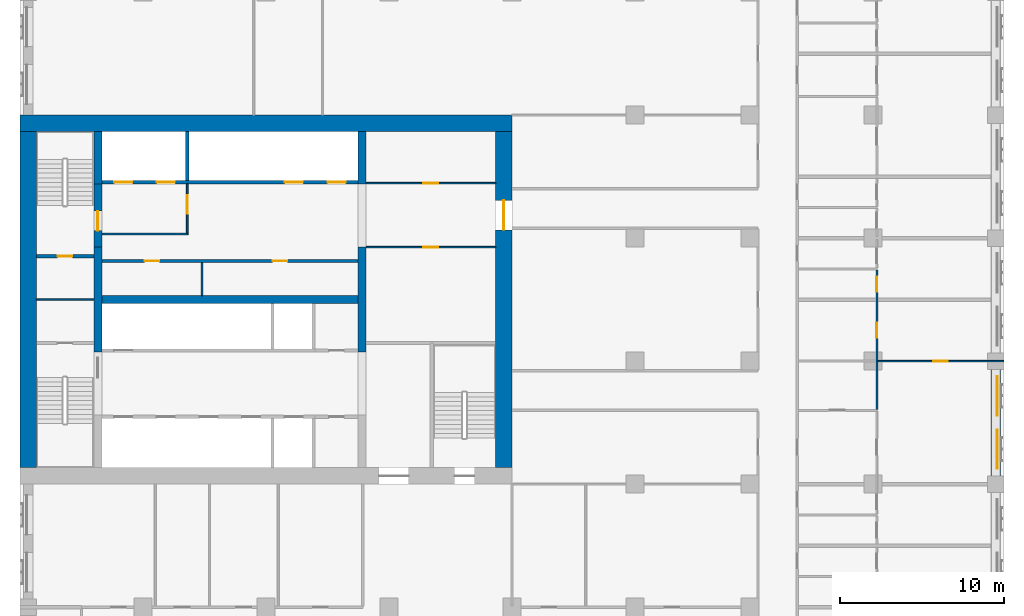
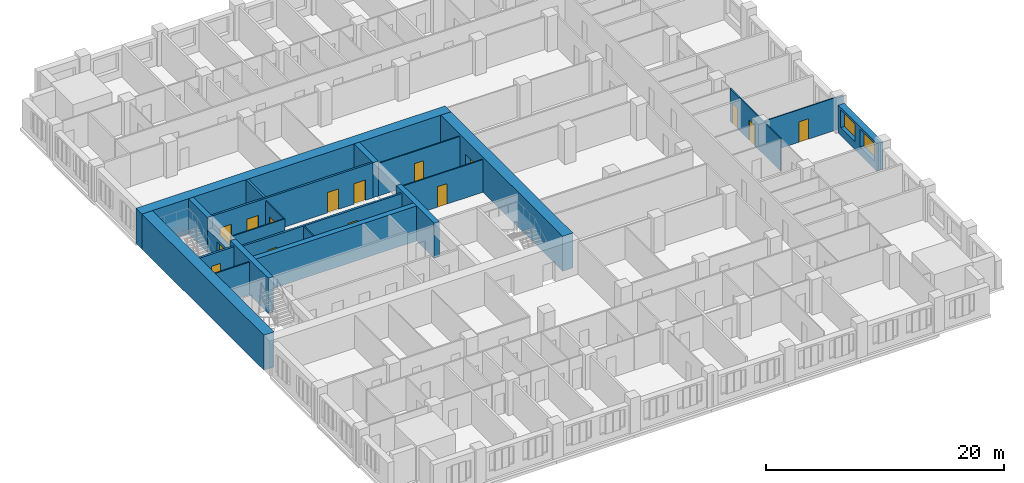
# One storey, part 8 of 15: 22 walls, 15 doors, 2 windows, 17 openings.
"""IFC4 building model written with IfcOpenShell, lengths in metres."""

from ifc_helpers import new_model, si_unit, direction, frame, frame_2d, origin, place, context, subcontext, project, spatial, rectangle, extrude, material, layer, layer_set, type_object, element, fill, save


model = new_model("IFC4")

# Units and contexts
model_context = context("Model", 3, precision=1e-05, world=origin(), true_north=direction((0.0, 1.0)))
body_context = subcontext(model_context, "Body", "Model", "MODEL_VIEW")
ifc_project = project(units=[si_unit("LENGTHUNIT", "METRE"), si_unit("AREAUNIT", "SQUARE_METRE"), si_unit("VOLUMEUNIT", "CUBIC_METRE"), si_unit("PLANEANGLEUNIT", "RADIAN"), si_unit("MASSUNIT", "GRAM", prefix="KILO")], contexts=[model_context])

# Site, building, storey
site_placement = place(None, origin())
site = spatial("IfcSite", under=ifc_project, at=site_placement, CompositionType="ELEMENT")
building_placement = place(site_placement, origin())
building = spatial("IfcBuilding", under=site, at=building_placement, Name="Tamorin Gate", CompositionType="ELEMENT")
storey_placement = place(building_placement, frame((0.0, 0.0, 82.699951171875)))
storey = spatial("IfcBuildingStorey", under=building, at=storey_placement, Name="L19", CompositionType="ELEMENT", Elevation=82.699951171875)

# Wall, openings, windows
ifc_material_1 = material(Name="Precast concrete C40/50", Category="concrete")
ifc_layer_1 = layer(ifc_material_1, 0.60009765625)
ifc_layer_set_1 = layer_set([ifc_layer_1], Name="Precast concrete C40/50")
wall_type_1 = type_object("IfcWallType", Name="Board-marked concrete facade panel 600", PredefinedType="SOLIDWALL", material=ifc_layer_set_1)
wall_1_placement = place(storey_placement, frame((89.5, 60.5, 0.0), z_axis=(0.0, 0.0, 1.0), x_axis=(0.0, 1.0, 0.0)))
wall_1 = element("IfcWall", 1, at=wall_1_placement, inside=storey, type_object=wall_type_1, Name="Facade panel", PredefinedType="SOLIDWALL", context=body_context, shape_type="SweptSolid", body=[
    extrude(rectangle(XDim=6.5, YDim=0.60009765625, at=frame_2d((3.25, 0.0))), origin(), (0.0, 0.0, 1.0), 2.85009765625),
])
opening_1_placement = place(wall_1_placement, frame((0.425048828125, 0.0, 0.800048828125)))
opening_1 = element("IfcOpeningElement", 2, at=opening_1_placement, cuts=wall_1, Name="Opening WN1", PredefinedType="OPENING", context=body_context, shape_type="SweptSolid", body=[
    extrude(rectangle(XDim=2.39990234375, YDim=1.800048828125, at=frame_2d((1.199951171875, 0.89990234375))), frame((0.0, 0.31005859375, 0.0), z_axis=(0.0, -1.0, 0.0), x_axis=(1.0, 0.0, 0.0)), (0.0, 0.0, 1.0), 0.6201171875),
])
opening_2_placement = place(wall_1_placement, frame((3.675048828125, 0.0, 0.800048828125)))
opening_2 = element("IfcOpeningElement", 3, at=opening_2_placement, cuts=wall_1, Name="Opening WN1", PredefinedType="OPENING", context=body_context, shape_type="SweptSolid", body=[
    extrude(rectangle(XDim=2.39990234375, YDim=1.800048828125, at=frame_2d((1.199951171875, 0.89990234375))), frame((0.0, 0.31005859375, 0.0), z_axis=(0.0, -1.0, 0.0), x_axis=(1.0, 0.0, 0.0)), (0.0, 0.0, 1.0), 0.6201171875),
])
ifc_material_2 = material(Name="Clear glass in aluminium frame", Category="aluminium")
window_type = type_object("IfcWindowType", Name="Deep-set window 2400x1800", PartitioningType="SINGLE_PANEL", PredefinedType="WINDOW", material=ifc_material_2)
window_1_placement = place(opening_1_placement, origin())
window_1 = element("IfcWindow", 4, at=window_1_placement, inside=storey, type_object=window_type, Name="Deep-set window", OverallHeight=1.800048828125, OverallWidth=2.39990234375, PartitioningType="SINGLE_PANEL", PredefinedType="WINDOW", context=body_context, shape_type="SweptSolid", body=[
    extrude(rectangle(XDim=2.39990234375, YDim=1.800048828125, at=frame_2d((1.199951171875, 0.89990234375))), frame((0.0, -0.070068359375, 0.0), z_axis=(0.0, -1.0, 0.0), x_axis=(1.0, 0.0, 0.0)), (0.0, 0.0, 1.0), 0.06005859375),
])
fill(opening_1, window_1)
window_2_placement = place(opening_2_placement, origin())
window_2 = element("IfcWindow", 5, at=window_2_placement, inside=storey, type_object=window_type, Name="Deep-set window", OverallHeight=1.800048828125, OverallWidth=2.39990234375, PartitioningType="SINGLE_PANEL", PredefinedType="WINDOW", context=body_context, shape_type="SweptSolid", body=[
    extrude(rectangle(XDim=2.39990234375, YDim=1.800048828125, at=frame_2d((1.199951171875, 0.89990234375))), frame((0.0, -0.070068359375, 0.0), z_axis=(0.0, -1.0, 0.0), x_axis=(1.0, 0.0, 0.0)), (0.0, 0.0, 1.0), 0.06005859375),
])
fill(opening_2, window_2)

# Wall, openings, doors
ifc_material_3 = material(Name="Concrete C32/40", Category="concrete")
ifc_layer_2 = layer(ifc_material_3, 0.199951171875)
ifc_layer_set_2 = layer_set([ifc_layer_2], Name="Lift lobby face wall 200 EI 120")
wall_type_2 = type_object("IfcWallType", Name="Lift lobby face wall 200 EI 120", PredefinedType="SOLIDWALL", material=ifc_layer_set_2)
wall_2_placement = place(storey_placement, frame((35.0, 78.39990234375, 0.0), z_axis=(0.0, 0.0, 1.0), x_axis=(1.0, 0.0, 0.0)))
wall_2 = element("IfcWall", 6, at=wall_2_placement, inside=storey, type_object=wall_type_2, Name="Lift lobby face wall", PredefinedType="SOLIDWALL", context=body_context, shape_type="SweptSolid", body=[
    extrude(rectangle(XDim=15.60009765625, YDim=0.199951171875, at=frame_2d((7.800048828125, 0.0))), origin(), (0.0, 0.0, 1.0), 3.60009765625),
])
opening_3_placement = place(wall_2_placement, frame((0.75, 0.0, 0.0)))
opening_3 = element("IfcOpeningElement", 7, at=opening_3_placement, cuts=wall_2, Name="Opening LD17", PredefinedType="OPENING", context=body_context, shape_type="SweptSolid", body=[
    extrude(rectangle(XDim=1.10009765625, YDim=2.10009765625, at=frame_2d((0.550048828125, 1.050048828125))), frame((0.0, 0.10986328125, 0.0), z_axis=(0.0, -1.0, 0.0), x_axis=(1.0, 0.0, 0.0)), (0.0, 0.0, 1.0), 0.219970703125),
])
opening_4_placement = place(wall_2_placement, frame((3.35009765625, 0.0, 0.0)))
opening_4 = element("IfcOpeningElement", 8, at=opening_4_placement, cuts=wall_2, Name="Opening LD18", PredefinedType="OPENING", context=body_context, shape_type="SweptSolid", body=[
    extrude(rectangle(XDim=1.10009765625, YDim=2.10009765625, at=frame_2d((0.550048828125, 1.050048828125))), frame((0.0, 0.10986328125, 0.0), z_axis=(0.0, -1.0, 0.0), x_axis=(1.0, 0.0, 0.0)), (0.0, 0.0, 1.0), 0.219970703125),
])
opening_5_placement = place(wall_2_placement, frame((11.14990234375, 0.0, 0.0)))
opening_5 = element("IfcOpeningElement", 9, at=opening_5_placement, cuts=wall_2, Name="Opening LD21", PredefinedType="OPENING", context=body_context, shape_type="SweptSolid", body=[
    extrude(rectangle(XDim=1.10009765625, YDim=2.10009765625, at=frame_2d((0.550048828125, 1.050048828125))), frame((0.0, 0.10986328125, 0.0), z_axis=(0.0, -1.0, 0.0), x_axis=(1.0, 0.0, 0.0)), (0.0, 0.0, 1.0), 0.219970703125),
])
opening_6_placement = place(wall_2_placement, frame((13.75, 0.0, 0.0)))
opening_6 = element("IfcOpeningElement", 10, at=opening_6_placement, cuts=wall_2, Name="Opening LD22", PredefinedType="OPENING", context=body_context, shape_type="SweptSolid", body=[
    extrude(rectangle(XDim=1.10009765625, YDim=2.10009765625, at=frame_2d((0.550048828125, 1.050048828125))), frame((0.0, 0.10986328125, 0.0), z_axis=(0.0, -1.0, 0.0), x_axis=(1.0, 0.0, 0.0)), (0.0, 0.0, 1.0), 0.219970703125),
])
ifc_material_4 = material(Name="Stainless steel sliding door", Category="steel")
door_type_1 = type_object("IfcDoorType", Name="Lift landing door 1100 x 2100 E 90", OperationType="DOUBLE_DOOR_SLIDING", PredefinedType="DOOR", material=ifc_material_4)
door_1_placement = place(opening_3_placement, origin())
door_1 = element("IfcDoor", 11, at=door_1_placement, inside=storey, type_object=door_type_1, Name="FF1 landing door", OperationType="DOUBLE_DOOR_SLIDING", OverallHeight=2.10009765625, OverallWidth=1.10009765625, PredefinedType="DOOR", context=body_context, shape_type="SweptSolid", body=[
    extrude(rectangle(XDim=1.10009765625, YDim=2.10009765625, at=frame_2d((0.550048828125, 1.050048828125))), frame((0.0, 0.02490234375, 0.0), z_axis=(0.0, -1.0, 0.0), x_axis=(1.0, 0.0, 0.0)), (0.0, 0.0, 1.0), 0.050048828125),
])
fill(opening_3, door_1)
door_2_placement = place(opening_4_placement, origin())
door_2 = element("IfcDoor", 12, at=door_2_placement, inside=storey, type_object=door_type_1, Name="FF2 landing door", OperationType="DOUBLE_DOOR_SLIDING", OverallHeight=2.10009765625, OverallWidth=1.10009765625, PredefinedType="DOOR", context=body_context, shape_type="SweptSolid", body=[
    extrude(rectangle(XDim=1.10009765625, YDim=2.10009765625, at=frame_2d((0.550048828125, 1.050048828125))), frame((0.0, 0.02490234375, 0.0), z_axis=(0.0, -1.0, 0.0), x_axis=(1.0, 0.0, 0.0)), (0.0, 0.0, 1.0), 0.050048828125),
])
fill(opening_4, door_2)
door_3_placement = place(opening_5_placement, origin())
door_3 = element("IfcDoor", 13, at=door_3_placement, inside=storey, type_object=door_type_1, Name="SV1 landing door", OperationType="DOUBLE_DOOR_SLIDING", OverallHeight=2.10009765625, OverallWidth=1.10009765625, PredefinedType="DOOR", context=body_context, shape_type="SweptSolid", body=[
    extrude(rectangle(XDim=1.10009765625, YDim=2.10009765625, at=frame_2d((0.550048828125, 1.050048828125))), frame((0.0, 0.02490234375, 0.0), z_axis=(0.0, -1.0, 0.0), x_axis=(1.0, 0.0, 0.0)), (0.0, 0.0, 1.0), 0.050048828125),
])
fill(opening_5, door_3)
door_4_placement = place(opening_6_placement, origin())
door_4 = element("IfcDoor", 14, at=door_4_placement, inside=storey, type_object=door_type_1, Name="SV2 landing door", OperationType="DOUBLE_DOOR_SLIDING", OverallHeight=2.10009765625, OverallWidth=1.10009765625, PredefinedType="DOOR", context=body_context, shape_type="SweptSolid", body=[
    extrude(rectangle(XDim=1.10009765625, YDim=2.10009765625, at=frame_2d((0.550048828125, 1.050048828125))), frame((0.0, 0.02490234375, 0.0), z_axis=(0.0, -1.0, 0.0), x_axis=(1.0, 0.0, 0.0)), (0.0, 0.0, 1.0), 0.050048828125),
])
fill(opening_6, door_4)

# Walls
ifc_layer_3 = layer(ifc_material_3, 0.199951171875)
ifc_layer_set_3 = layer_set([ifc_layer_3], Name="Lift shaft wall 200 EI 120")
wall_type_3 = type_object("IfcWallType", Name="Lift shaft wall 200 EI 120", PredefinedType="SOLIDWALL", material=ifc_layer_set_3)
wall_3_placement = place(storey_placement, frame((40.199951171875, 78.5, 0.0), z_axis=(0.0, 0.0, 1.0), x_axis=(0.0, 1.0, 0.0)))
element("IfcWall", 15, at=wall_3_placement, inside=storey, type_object=wall_type_3, Name="Lift shaft wall", PredefinedType="SOLIDWALL", context=body_context, shape_type="SweptSolid", body=[
    extrude(rectangle(XDim=3.0, YDim=0.199951171875, at=frame_2d((1.5, 0.0))), origin(), (0.0, 0.0, 1.0), 3.60009765625),
])
ifc_material_5 = material(Name="Fire-rated gypsum board partition")
ifc_layer_4 = layer(ifc_material_5, 0.10009765625)
ifc_layer_set_4 = layer_set([ifc_layer_4], Name="Lobby wall 100 EI 60")
wall_type_4 = type_object("IfcWallType", Name="Lobby wall 100 EI 60", PredefinedType="PARTITIONING", material=ifc_layer_set_4)
wall_4_placement = place(storey_placement, frame((35.0, 75.25, 0.0), z_axis=(0.0, 0.0, 1.0), x_axis=(1.0, 0.0, 0.0)))
element("IfcWall", 16, at=wall_4_placement, inside=storey, type_object=wall_type_4, Name="Firefighting lobby wall", PredefinedType="PARTITIONING", context=body_context, shape_type="SweptSolid", body=[
    extrude(rectangle(XDim=5.25, YDim=0.10009765625, at=frame_2d((2.625, 0.0))), origin(), (0.0, 0.0, 1.0), 3.35009765625),
])

# Wall, opening, door
wall_5_placement = place(storey_placement, frame((40.199951171875, 75.300048828125, 0.0), z_axis=(0.0, 0.0, 1.0), x_axis=(0.0, 1.0, 0.0)))
wall_5 = element("IfcWall", 17, at=wall_5_placement, inside=storey, type_object=wall_type_4, Name="Firefighting lobby wall", PredefinedType="PARTITIONING", context=body_context, shape_type="SweptSolid", body=[
    extrude(rectangle(XDim=3.0, YDim=0.10009765625, at=frame_2d((1.5, 0.0))), origin(), (0.0, 0.0, 1.0), 3.35009765625),
])
opening_7_placement = place(wall_5_placement, frame((1.199951171875, 0.0, 0.0)))
opening_7 = element("IfcOpeningElement", 18, at=opening_7_placement, cuts=wall_5, Name="Opening DF1", PredefinedType="OPENING", context=body_context, shape_type="SweptSolid", body=[
    extrude(rectangle(XDim=1.10009765625, YDim=2.10009765625, at=frame_2d((0.550048828125, 1.050048828125))), frame((0.0, 0.06005859375, 0.0), z_axis=(0.0, -1.0, 0.0), x_axis=(1.0, 0.0, 0.0)), (0.0, 0.0, 1.0), 0.1201171875),
])
ifc_material_6 = material(Name="Steel fire door", Category="steel")
door_type_2 = type_object("IfcDoorType", Name="Firefighting lobby door 1100 x 2100 EI 90", OperationType="SINGLE_SWING_LEFT", PredefinedType="DOOR", material=ifc_material_6)
door_5_placement = place(opening_7_placement, origin())
door_5 = element("IfcDoor", 19, at=door_5_placement, inside=storey, type_object=door_type_2, Name="Firefighting lobby door", OperationType="SINGLE_SWING_LEFT", OverallHeight=2.10009765625, OverallWidth=1.10009765625, PredefinedType="DOOR", context=body_context, shape_type="SweptSolid", body=[
    extrude(rectangle(XDim=1.10009765625, YDim=2.10009765625, at=frame_2d((0.550048828125, 1.050048828125))), frame((0.0, 0.02490234375, 0.0), z_axis=(0.0, -1.0, 0.0), x_axis=(1.0, 0.0, 0.0)), (0.0, 0.0, 1.0), 0.050048828125),
])
fill(opening_7, door_5)

# Walls
ifc_material_7 = material(Name="Concrete C80/95", Category="concrete")
ifc_layer_5 = layer(ifc_material_7, 0.5)
ifc_layer_set_5 = layer_set([ifc_layer_5], Name="RC core internal wall 500 C80/95")
wall_type_5 = type_object("IfcWallType", Name="RC core internal wall 500 C80/95", PredefinedType="SHEAR", material=ifc_layer_set_5)
wall_6_placement = place(storey_placement, frame((35.0, 71.25, 0.0), z_axis=(0.0, 0.0, 1.0), x_axis=(1.0, 0.0, 0.0)))
element("IfcWall", 20, at=wall_6_placement, inside=storey, type_object=wall_type_5, Name="Core spine wall L19", PredefinedType="SHEAR", context=body_context, shape_type="SweptSolid", body=[
    extrude(rectangle(XDim=15.60009765625, YDim=0.5, at=frame_2d((7.800048828125, 0.0))), origin(), (0.0, 0.0, 1.0), 3.60009765625),
])
wall_7_placement = place(storey_placement, frame((34.75, 68.050048828125, 0.0), z_axis=(0.0, 0.0, 1.0), x_axis=(0.0, 1.0, 0.0)))
element("IfcWall", 21, at=wall_7_placement, inside=storey, type_object=wall_type_5, Name="Core cross wall L19", PredefinedType="SHEAR", context=body_context, shape_type="SweptSolid", body=[
    extrude(rectangle(XDim=6.39990234375, YDim=0.5, at=frame_2d((3.199951171875, 0.0))), origin(), (0.0, 0.0, 1.0), 3.60009765625),
])
wall_8_placement = place(storey_placement, frame((34.75, 78.300048828125, 0.0), z_axis=(0.0, 0.0, 1.0), x_axis=(0.0, 1.0, 0.0)))
element("IfcWall", 22, at=wall_8_placement, inside=storey, type_object=wall_type_5, Name="Core cross wall L19", PredefinedType="SHEAR", context=body_context, shape_type="SweptSolid", body=[
    extrude(rectangle(XDim=3.199951171875, YDim=0.5, at=frame_2d((1.60009765625, 0.0))), origin(), (0.0, 0.0, 1.0), 3.60009765625),
])
wall_9_placement = place(storey_placement, frame((50.85009765625, 68.050048828125, 0.0), z_axis=(0.0, 0.0, 1.0), x_axis=(0.0, 1.0, 0.0)))
element("IfcWall", 23, at=wall_9_placement, inside=storey, type_object=wall_type_5, Name="Core cross wall L19", PredefinedType="SHEAR", context=body_context, shape_type="SweptSolid", body=[
    extrude(rectangle(XDim=6.39990234375, YDim=0.5, at=frame_2d((3.199951171875, 0.0))), origin(), (0.0, 0.0, 1.0), 3.60009765625),
])
wall_10_placement = place(storey_placement, frame((50.85009765625, 78.300048828125, 0.0), z_axis=(0.0, 0.0, 1.0), x_axis=(0.0, 1.0, 0.0)))
element("IfcWall", 24, at=wall_10_placement, inside=storey, type_object=wall_type_5, Name="Core cross wall L19", PredefinedType="SHEAR", context=body_context, shape_type="SweptSolid", body=[
    extrude(rectangle(XDim=3.199951171875, YDim=0.5, at=frame_2d((1.60009765625, 0.0))), origin(), (0.0, 0.0, 1.0), 3.60009765625),
])
ifc_layer_6 = layer(ifc_material_7, 1.0)
ifc_layer_set_6 = layer_set([ifc_layer_6], Name="RC core wall 1000 C80/95")
wall_type_6 = type_object("IfcWallType", Name="RC core wall 1000 C80/95", PredefinedType="SHEAR", material=ifc_layer_set_6)
wall_11_placement = place(storey_placement, frame((30.0, 82.0, 0.0), z_axis=(0.0, 0.0, 1.0), x_axis=(1.0, 0.0, 0.0)))
element("IfcWall", 25, at=wall_11_placement, inside=storey, type_object=wall_type_6, Name="Core wall L19", PredefinedType="SHEAR", context=body_context, shape_type="SweptSolid", body=[
    extrude(rectangle(XDim=30.0, YDim=1.0, at=frame_2d((15.0, 0.0))), origin(), (0.0, 0.0, 1.0), 3.60009765625),
])
wall_12_placement = place(storey_placement, frame((30.5, 61.0, 0.0), z_axis=(0.0, 0.0, 1.0), x_axis=(0.0, 1.0, 0.0)))
element("IfcWall", 26, at=wall_12_placement, inside=storey, type_object=wall_type_6, Name="Core wall L19", PredefinedType="SHEAR", context=body_context, shape_type="SweptSolid", body=[
    extrude(rectangle(XDim=20.5, YDim=1.0, at=frame_2d((10.25, 0.0))), origin(), (0.0, 0.0, 1.0), 3.60009765625),
])

# Wall, opening, door
wall_13_placement = place(storey_placement, frame((59.5, 61.0, 0.0), z_axis=(0.0, 0.0, 1.0), x_axis=(0.0, 1.0, 0.0)))
wall_13 = element("IfcWall", 27, at=wall_13_placement, inside=storey, type_object=wall_type_6, Name="Core wall L19", PredefinedType="SHEAR", context=body_context, shape_type="SweptSolid", body=[
    extrude(rectangle(XDim=20.5, YDim=1.0, at=frame_2d((10.25, 0.0))), origin(), (0.0, 0.0, 1.0), 3.60009765625),
])
opening_8_placement = place(wall_13_placement, frame((14.5, 0.0, 0.0)))
opening_8 = element("IfcOpeningElement", 28, at=opening_8_placement, cuts=wall_13, Name="Opening DE1", PredefinedType="OPENING", context=body_context, shape_type="SweptSolid", body=[
    extrude(rectangle(XDim=1.800048828125, YDim=2.10009765625, at=frame_2d((0.89990234375, 1.050048828125))), frame((0.0, 0.510009765625, 0.0), z_axis=(0.0, -1.0, 0.0), x_axis=(1.0, 0.0, 0.0)), (0.0, 0.0, 1.0), 1.02001953125),
])
door_type_3 = type_object("IfcDoorType", Name="Lobby exit double door 1800 x 2100 EI 60", OperationType="DOUBLE_DOOR_SINGLE_SWING", PredefinedType="DOOR", material=ifc_material_6)
door_6_placement = place(opening_8_placement, origin())
door_6 = element("IfcDoor", 29, at=door_6_placement, inside=storey, type_object=door_type_3, Name="Lift lobby B exit door", OperationType="DOUBLE_DOOR_SINGLE_SWING", OverallHeight=2.10009765625, OverallWidth=1.800048828125, PredefinedType="DOOR", context=body_context, shape_type="SweptSolid", body=[
    extrude(rectangle(XDim=1.800048828125, YDim=2.10009765625, at=frame_2d((0.89990234375, 1.050048828125))), frame((0.0, 0.02490234375, 0.0), z_axis=(0.0, -1.0, 0.0), x_axis=(1.0, 0.0, 0.0)), (0.0, 0.0, 1.0), 0.050048828125),
])
fill(opening_8, door_6)

# Wall
ifc_layer_7 = layer(ifc_material_5, 0.10009765625)
ifc_layer_set_7 = layer_set([ifc_layer_7], Name="Riser partition 100 EI 120")
wall_type_7 = type_object("IfcWallType", Name="Riser partition 100 EI 120", PredefinedType="PARTITIONING", material=ifc_layer_set_7)
wall_14_placement = place(storey_placement, frame((31.0, 71.25, 0.0), z_axis=(0.0, 0.0, 1.0), x_axis=(1.0, 0.0, 0.0)))
element("IfcWall", 30, at=wall_14_placement, inside=storey, type_object=wall_type_7, Name="Riser partition", PredefinedType="PARTITIONING", context=body_context, shape_type="SweptSolid", body=[
    extrude(rectangle(XDim=3.5, YDim=0.10009765625, at=frame_2d((1.75, 0.0))), origin(), (0.0, 0.0, 1.0), 3.35009765625),
])

# Wall, opening, door
ifc_material_8 = material(Name="Gypsum board partition")
ifc_layer_8 = layer(ifc_material_8, 0.10009765625)
ifc_layer_set_8 = layer_set([ifc_layer_8], Name="Room partition 100")
wall_type_8 = type_object("IfcWallType", Name="Room partition 100", PredefinedType="PARTITIONING", material=ifc_layer_set_8)
wall_15_placement = place(storey_placement, frame((82.3125, 67.5, 0.0), z_axis=(0.0, 0.0, 1.0), x_axis=(1.0, 0.0, 0.0)))
wall_15 = element("IfcWall", 31, at=wall_15_placement, inside=storey, type_object=wall_type_8, Name="Room partition 100", PredefinedType="PARTITIONING", context=body_context, shape_type="SweptSolid", body=[
    extrude(rectangle(XDim=7.6875, YDim=0.10009765625, at=frame_2d((3.84375, 0.0))), origin(), (0.0, 0.0, 1.0), 3.35009765625),
])
opening_9_placement = place(wall_15_placement, frame((3.362548828125, 0.0, 0.0)))
opening_9 = element("IfcOpeningElement", 32, at=opening_9_placement, cuts=wall_15, Name="Opening DH6061", PredefinedType="OPENING", context=body_context, shape_type="SweptSolid", body=[
    extrude(rectangle(XDim=0.89990234375, YDim=2.10009765625, at=frame_2d((0.449951171875, 1.050048828125))), frame((0.0, 0.06005859375, 0.0), z_axis=(0.0, -1.0, 0.0), x_axis=(1.0, 0.0, 0.0)), (0.0, 0.0, 1.0), 0.1201171875),
])
ifc_material_9 = material(Name="Timber door leaf", Category="wood")
door_type_4 = type_object("IfcDoorType", Name="Door 900 x 2100", OperationType="NOTDEFINED", PredefinedType="DOOR", material=ifc_material_9)
door_7_placement = place(opening_9_placement, origin())
door_7 = element("IfcDoor", 33, at=door_7_placement, inside=storey, type_object=door_type_4, Name="Door DH6061", OperationType="SINGLE_SWING_RIGHT", OverallHeight=2.10009765625, OverallWidth=0.89990234375, PredefinedType="DOOR", context=body_context, shape_type="SweptSolid", body=[
    extrude(rectangle(XDim=0.89990234375, YDim=2.10009765625, at=frame_2d((0.449951171875, 1.050048828125))), frame((0.0, 0.02490234375, 0.0), z_axis=(0.0, -1.0, 0.0), x_axis=(1.0, 0.0, 0.0)), (0.0, 0.0, 1.0), 0.050048828125),
])
fill(opening_9, door_7)

# Wall, openings, doors
ifc_layer_9 = layer(ifc_material_8, 0.199951171875)
ifc_layer_set_9 = layer_set([ifc_layer_9], Name="Service room face wall 200 EI 60")
wall_type_9 = type_object("IfcWallType", Name="Service room face wall 200 EI 60", PredefinedType="PARTITIONING", material=ifc_layer_set_9)
wall_16_placement = place(storey_placement, frame((35.0, 73.60009765625, 0.0), z_axis=(0.0, 0.0, 1.0), x_axis=(1.0, 0.0, 0.0)))
wall_16 = element("IfcWall", 34, at=wall_16_placement, inside=storey, type_object=wall_type_9, Name="Service room face wall", PredefinedType="PARTITIONING", context=body_context, shape_type="SweptSolid", body=[
    extrude(rectangle(XDim=15.60009765625, YDim=0.199951171875, at=frame_2d((7.800048828125, 0.0))), origin(), (0.0, 0.0, 1.0), 3.35009765625),
])
opening_10_placement = place(wall_16_placement, frame((2.60009765625, 0.0, 0.0)))
opening_10 = element("IfcOpeningElement", 35, at=opening_10_placement, cuts=wall_16, Name="Opening DK1", PredefinedType="OPENING", context=body_context, shape_type="SweptSolid", body=[
    extrude(rectangle(XDim=0.89990234375, YDim=2.10009765625, at=frame_2d((0.449951171875, 1.050048828125))), frame((0.0, 0.10986328125, 0.0), z_axis=(0.0, -1.0, 0.0), x_axis=(1.0, 0.0, 0.0)), (0.0, 0.0, 1.0), 0.219970703125),
])
opening_11_placement = place(wall_16_placement, frame((10.39990234375, 0.0, 0.0)))
opening_11 = element("IfcOpeningElement", 36, at=opening_11_placement, cuts=wall_16, Name="Opening DK1", PredefinedType="OPENING", context=body_context, shape_type="SweptSolid", body=[
    extrude(rectangle(XDim=0.89990234375, YDim=2.10009765625, at=frame_2d((0.449951171875, 1.050048828125))), frame((0.0, 0.10986328125, 0.0), z_axis=(0.0, -1.0, 0.0), x_axis=(1.0, 0.0, 0.0)), (0.0, 0.0, 1.0), 0.219970703125),
])
ifc_material_10 = material(Name="Timber fire door", Category="wood")
door_type_5 = type_object("IfcDoorType", Name="Service room door 900 x 2100 EI 60", OperationType="SINGLE_SWING_LEFT", PredefinedType="DOOR", material=ifc_material_10)
door_8_placement = place(opening_10_placement, origin())
door_8 = element("IfcDoor", 37, at=door_8_placement, inside=storey, type_object=door_type_5, Name="Door Cleaner's store", OperationType="SINGLE_SWING_LEFT", OverallHeight=2.10009765625, OverallWidth=0.89990234375, PredefinedType="DOOR", context=body_context, shape_type="SweptSolid", body=[
    extrude(rectangle(XDim=0.89990234375, YDim=2.10009765625, at=frame_2d((0.449951171875, 1.050048828125))), frame((0.0, 0.02490234375, 0.0), z_axis=(0.0, -1.0, 0.0), x_axis=(1.0, 0.0, 0.0)), (0.0, 0.0, 1.0), 0.050048828125),
])
fill(opening_10, door_8)
door_9_placement = place(opening_11_placement, origin())
door_9 = element("IfcDoor", 38, at=door_9_placement, inside=storey, type_object=door_type_5, Name="Door Pantry", OperationType="SINGLE_SWING_RIGHT", OverallHeight=2.10009765625, OverallWidth=0.89990234375, PredefinedType="DOOR", context=body_context, shape_type="SweptSolid", body=[
    extrude(rectangle(XDim=0.89990234375, YDim=2.10009765625, at=frame_2d((0.449951171875, 1.050048828125))), frame((0.0, 0.02490234375, 0.0), z_axis=(0.0, -1.0, 0.0), x_axis=(1.0, 0.0, 0.0)), (0.0, 0.0, 1.0), 0.050048828125),
])
fill(opening_11, door_9)

# Wall
ifc_layer_10 = layer(ifc_material_8, 0.10009765625)
ifc_layer_set_10 = layer_set([ifc_layer_10], Name="Service room partition 100 EI 60")
wall_type_10 = type_object("IfcWallType", Name="Service room partition 100 EI 60", PredefinedType="PARTITIONING", material=ifc_layer_set_10)
wall_17_placement = place(storey_placement, frame((41.10009765625, 71.5, 0.0), z_axis=(0.0, 0.0, 1.0), x_axis=(0.0, 1.0, 0.0)))
element("IfcWall", 39, at=wall_17_placement, inside=storey, type_object=wall_type_10, Name="Service room partition", PredefinedType="PARTITIONING", context=body_context, shape_type="SweptSolid", body=[
    extrude(rectangle(XDim=2.0, YDim=0.10009765625, at=frame_2d((1.0, 0.0))), origin(), (0.0, 0.0, 1.0), 3.35009765625),
])

# Wall, opening, door
wall_18_placement = place(storey_placement, frame((51.10009765625, 74.449951171875, 0.0), z_axis=(0.0, 0.0, 1.0), x_axis=(1.0, 0.0, 0.0)))
wall_18 = element("IfcWall", 40, at=wall_18_placement, inside=storey, type_object=wall_type_10, Name="Service room wall", PredefinedType="PARTITIONING", context=body_context, shape_type="SweptSolid", body=[
    extrude(rectangle(XDim=7.89990234375, YDim=0.10009765625, at=frame_2d((3.949951171875, 0.0))), origin(), (0.0, 0.0, 1.0), 3.35009765625),
])
opening_12_placement = place(wall_18_placement, frame((3.5, 0.0, 0.0)))
opening_12 = element("IfcOpeningElement", 41, at=opening_12_placement, cuts=wall_18, Name="Opening DR1", PredefinedType="OPENING", context=body_context, shape_type="SweptSolid", body=[
    extrude(rectangle(XDim=0.89990234375, YDim=2.10009765625, at=frame_2d((0.449951171875, 1.050048828125))), frame((0.0, 0.06005859375, 0.0), z_axis=(0.0, -1.0, 0.0), x_axis=(1.0, 0.0, 0.0)), (0.0, 0.0, 1.0), 0.1201171875),
])
door_type_6 = type_object("IfcDoorType", Name="Riser access door 900 x 2100 EI 120", OperationType="SINGLE_SWING_LEFT", PredefinedType="DOOR", material=ifc_material_6)
door_10_placement = place(opening_12_placement, origin())
door_10 = element("IfcDoor", 42, at=door_10_placement, inside=storey, type_object=door_type_6, Name="Duct riser door", OperationType="SINGLE_SWING_LEFT", OverallHeight=2.10009765625, OverallWidth=0.89990234375, PredefinedType="DOOR", context=body_context, shape_type="SweptSolid", body=[
    extrude(rectangle(XDim=0.89990234375, YDim=2.10009765625, at=frame_2d((0.449951171875, 1.050048828125))), frame((0.0, 0.02490234375, 0.0), z_axis=(0.0, -1.0, 0.0), x_axis=(1.0, 0.0, 0.0)), (0.0, 0.0, 1.0), 0.050048828125),
])
fill(opening_12, door_10)

wall_19_placement = place(storey_placement, frame((51.10009765625, 78.35009765625, 0.0), z_axis=(0.0, 0.0, 1.0), x_axis=(1.0, 0.0, 0.0)))
wall_19 = element("IfcWall", 43, at=wall_19_placement, inside=storey, type_object=wall_type_10, Name="Service room wall", PredefinedType="PARTITIONING", context=body_context, shape_type="SweptSolid", body=[
    extrude(rectangle(XDim=7.89990234375, YDim=0.10009765625, at=frame_2d((3.949951171875, 0.0))), origin(), (0.0, 0.0, 1.0), 3.35009765625),
])
opening_13_placement = place(wall_19_placement, frame((3.5, 0.0, 0.0)))
opening_13 = element("IfcOpeningElement", 44, at=opening_13_placement, cuts=wall_19, Name="Opening DK1", PredefinedType="OPENING", context=body_context, shape_type="SweptSolid", body=[
    extrude(rectangle(XDim=0.89990234375, YDim=2.10009765625, at=frame_2d((0.449951171875, 1.050048828125))), frame((0.0, 0.06005859375, 0.0), z_axis=(0.0, -1.0, 0.0), x_axis=(1.0, 0.0, 0.0)), (0.0, 0.0, 1.0), 0.1201171875),
])
door_11_placement = place(opening_13_placement, origin())
door_11 = element("IfcDoor", 45, at=door_11_placement, inside=storey, type_object=door_type_5, Name="Door Store", OperationType="SINGLE_SWING_LEFT", OverallHeight=2.10009765625, OverallWidth=0.89990234375, PredefinedType="DOOR", context=body_context, shape_type="SweptSolid", body=[
    extrude(rectangle(XDim=0.89990234375, YDim=2.10009765625, at=frame_2d((0.449951171875, 1.050048828125))), frame((0.0, 0.02490234375, 0.0), z_axis=(0.0, -1.0, 0.0), x_axis=(1.0, 0.0, 0.0)), (0.0, 0.0, 1.0), 0.050048828125),
])
fill(opening_13, door_11)

ifc_material_11 = material(Name="Concrete C40/50", Category="concrete")
ifc_layer_11 = layer(ifc_material_11, 0.199951171875)
ifc_layer_set_11 = layer_set([ifc_layer_11], Name="Stair enclosure wall 200 EI 120 C40/50")
wall_type_11 = type_object("IfcWallType", Name="Stair enclosure wall 200 EI 120 C40/50", PredefinedType="SOLIDWALL", material=ifc_layer_set_11)
wall_20_placement = place(storey_placement, frame((31.0, 73.89990234375, 0.0), z_axis=(0.0, 0.0, 1.0), x_axis=(1.0, 0.0, 0.0)))
wall_20 = element("IfcWall", 46, at=wall_20_placement, inside=storey, type_object=wall_type_11, Name="Stair enclosure wall", PredefinedType="SOLIDWALL", context=body_context, shape_type="SweptSolid", body=[
    extrude(rectangle(XDim=3.5, YDim=0.199951171875, at=frame_2d((1.75, 0.0))), origin(), (0.0, 0.0, 1.0), 3.35009765625),
])
opening_14_placement = place(wall_20_placement, frame((1.300048828125, 0.0, 0.0)))
opening_14 = element("IfcOpeningElement", 47, at=opening_14_placement, cuts=wall_20, Name="Opening DR1", PredefinedType="OPENING", context=body_context, shape_type="SweptSolid", body=[
    extrude(rectangle(XDim=0.89990234375, YDim=2.10009765625, at=frame_2d((0.449951171875, 1.050048828125))), frame((0.0, 0.10986328125, 0.0), z_axis=(0.0, -1.0, 0.0), x_axis=(1.0, 0.0, 0.0)), (0.0, 0.0, 1.0), 0.219970703125),
])
door_12_placement = place(opening_14_placement, origin())
door_12 = element("IfcDoor", 48, at=door_12_placement, inside=storey, type_object=door_type_6, Name="Communications riser door", OperationType="SINGLE_SWING_RIGHT", OverallHeight=2.10009765625, OverallWidth=0.89990234375, PredefinedType="DOOR", context=body_context, shape_type="SweptSolid", body=[
    extrude(rectangle(XDim=0.89990234375, YDim=2.10009765625, at=frame_2d((0.449951171875, 1.050048828125))), frame((0.0, 0.02490234375, 0.0), z_axis=(0.0, -1.0, 0.0), x_axis=(1.0, 0.0, 0.0)), (0.0, 0.0, 1.0), 0.050048828125),
])
fill(opening_14, door_12)

ifc_layer_12 = layer(ifc_material_3, 0.5)
ifc_layer_set_12 = layer_set([ifc_layer_12], Name="Stair lobby infill wall 500 EI 120")
wall_type_12 = type_object("IfcWallType", Name="Stair lobby infill wall 500 EI 120", PredefinedType="SOLIDWALL", material=ifc_layer_set_12)
wall_21_placement = place(storey_placement, frame((34.75, 74.449951171875, 0.0), z_axis=(0.0, 0.0, 1.0), x_axis=(0.0, 1.0, 0.0)))
wall_21 = element("IfcWall", 49, at=wall_21_placement, inside=storey, type_object=wall_type_12, Name="Stair lobby infill wall", PredefinedType="SOLIDWALL", context=body_context, shape_type="SweptSolid", body=[
    extrude(rectangle(XDim=3.85009765625, YDim=0.5, at=frame_2d((1.925048828125, 0.0))), origin(), (0.0, 0.0, 1.0), 2.400146484375),
])
opening_15_placement = place(wall_21_placement, frame((1.0, 0.0, 0.0)))
opening_15 = element("IfcOpeningElement", 50, at=opening_15_placement, cuts=wall_21, Name="Opening DS1", PredefinedType="OPENING", context=body_context, shape_type="SweptSolid", body=[
    extrude(rectangle(XDim=1.199951171875, YDim=2.10009765625, at=frame_2d((0.60009765625, 1.050048828125))), frame((0.0, 0.260009765625, 0.0), z_axis=(0.0, -1.0, 0.0), x_axis=(1.0, 0.0, 0.0)), (0.0, 0.0, 1.0), 0.52001953125),
])
door_type_7 = type_object("IfcDoorType", Name="Stair door 1200 x 2100 EI 90", OperationType="SINGLE_SWING_LEFT", PredefinedType="DOOR", material=ifc_material_6)
door_13_placement = place(opening_15_placement, origin())
door_13 = element("IfcDoor", 51, at=door_13_placement, inside=storey, type_object=door_type_7, Name="ST2 door", OperationType="SINGLE_SWING_RIGHT", OverallHeight=2.10009765625, OverallWidth=1.199951171875, PredefinedType="DOOR", context=body_context, shape_type="SweptSolid", body=[
    extrude(rectangle(XDim=1.199951171875, YDim=2.10009765625, at=frame_2d((0.60009765625, 1.050048828125))), frame((0.0, 0.02490234375, 0.0), z_axis=(0.0, -1.0, 0.0), x_axis=(1.0, 0.0, 0.0)), (0.0, 0.0, 1.0), 0.050048828125),
])
fill(opening_15, door_13)

# Wall, openings, doors
ifc_layer_13 = layer(ifc_material_8, 0.125)
ifc_layer_set_13 = layer_set([ifc_layer_13], Name="Wet wall 125")
wall_type_13 = type_object("IfcWallType", Name="Wet wall 125", PredefinedType="PARTITIONING", material=ifc_layer_set_13)
wall_22_placement = place(storey_placement, frame((82.25, 64.5625, 0.0), z_axis=(0.0, 0.0, 1.0), x_axis=(0.0, 1.0, 0.0)))
wall_22 = element("IfcWall", 52, at=wall_22_placement, inside=storey, type_object=wall_type_13, Name="Wet wall 125", PredefinedType="PARTITIONING", context=body_context, shape_type="SweptSolid", body=[
    extrude(rectangle(XDim=8.5, YDim=0.125, at=frame_2d((4.25, 0.0))), origin(), (0.0, 0.0, 1.0), 3.35009765625),
])
opening_16_placement = place(wall_22_placement, frame((4.362548828125, 0.0, 0.0)))
opening_16 = element("IfcOpeningElement", 53, at=opening_16_placement, cuts=wall_22, Name="Opening DH6060", PredefinedType="OPENING", context=body_context, shape_type="SweptSolid", body=[
    extrude(rectangle(XDim=0.89990234375, YDim=2.10009765625, at=frame_2d((0.449951171875, 1.050048828125))), frame((0.0, 0.072509765625, 0.0), z_axis=(0.0, -1.0, 0.0), x_axis=(1.0, 0.0, 0.0)), (0.0, 0.0, 1.0), 0.14501953125),
])
opening_17_placement = place(wall_22_placement, frame((7.175048828125, 0.0, 0.0)))
opening_17 = element("IfcOpeningElement", 54, at=opening_17_placement, cuts=wall_22, Name="Opening DH6062", PredefinedType="OPENING", context=body_context, shape_type="SweptSolid", body=[
    extrude(rectangle(XDim=0.89990234375, YDim=2.10009765625, at=frame_2d((0.449951171875, 1.050048828125))), frame((0.0, 0.072509765625, 0.0), z_axis=(0.0, -1.0, 0.0), x_axis=(1.0, 0.0, 0.0)), (0.0, 0.0, 1.0), 0.14501953125),
])
door_14_placement = place(opening_16_placement, origin())
door_14 = element("IfcDoor", 55, at=door_14_placement, inside=storey, type_object=door_type_4, Name="Door DH6060", OperationType="SINGLE_SWING_LEFT", OverallHeight=2.10009765625, OverallWidth=0.89990234375, PredefinedType="DOOR", context=body_context, shape_type="SweptSolid", body=[
    extrude(rectangle(XDim=0.89990234375, YDim=2.10009765625, at=frame_2d((0.449951171875, 1.050048828125))), frame((0.0, 0.02490234375, 0.0), z_axis=(0.0, -1.0, 0.0), x_axis=(1.0, 0.0, 0.0)), (0.0, 0.0, 1.0), 0.050048828125),
])
fill(opening_16, door_14)
door_15_placement = place(opening_17_placement, origin())
door_15 = element("IfcDoor", 56, at=door_15_placement, inside=storey, type_object=door_type_4, Name="Door DH6062", OperationType="SINGLE_SWING_LEFT", OverallHeight=2.10009765625, OverallWidth=0.89990234375, PredefinedType="DOOR", context=body_context, shape_type="SweptSolid", body=[
    extrude(rectangle(XDim=0.89990234375, YDim=2.10009765625, at=frame_2d((0.449951171875, 1.050048828125))), frame((0.0, 0.02490234375, 0.0), z_axis=(0.0, -1.0, 0.0), x_axis=(1.0, 0.0, 0.0)), (0.0, 0.0, 1.0), 0.050048828125),
])
fill(opening_17, door_15)

save(model, "model.ifc")
